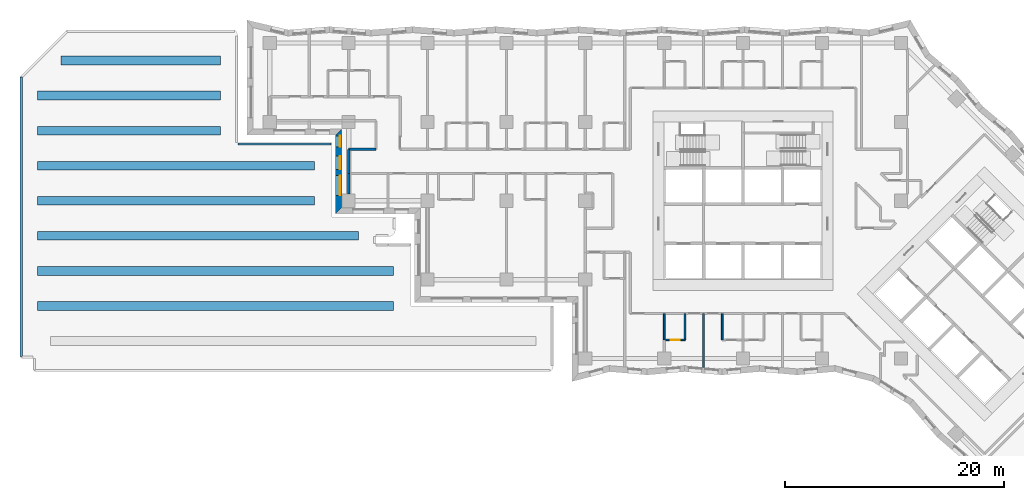
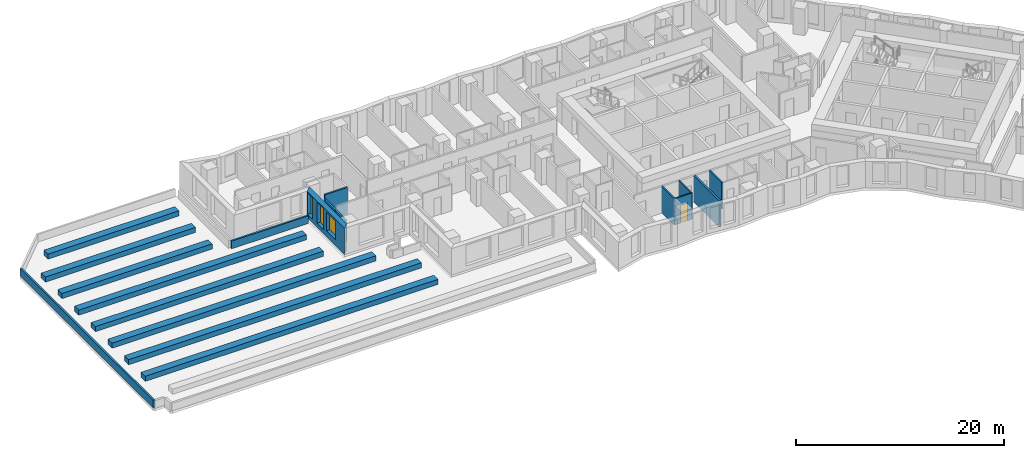
# One storey, part 3 of 15: 19 walls, 3 windows, 1 door, 4 openings.
"""IFC4 building model written with IfcOpenShell, lengths in metres."""

from ifc_helpers import new_model, si_unit, direction, frame, frame_2d, origin, place, context, subcontext, project, spatial, polyline, rectangle, outline, extrude, material, layer, layer_set, type_object, element, fill, save


model = new_model("IFC4")

# Units and contexts
model_context = context("Model", 3, precision=1e-05, world=origin(), true_north=direction((0.0, 1.0)))
body_context = subcontext(model_context, "Body", "Model", "MODEL_VIEW")
ifc_project = project(units=[si_unit("LENGTHUNIT", "METRE"), si_unit("AREAUNIT", "SQUARE_METRE"), si_unit("VOLUMEUNIT", "CUBIC_METRE"), si_unit("PLANEANGLEUNIT", "RADIAN"), si_unit("MASSUNIT", "GRAM", prefix="KILO")], contexts=[model_context])

# Site, building, storey
site_placement = place(None, origin())
site = spatial("IfcSite", under=ifc_project, at=site_placement, CompositionType="ELEMENT")
building_placement = place(site_placement, origin())
building = spatial("IfcBuilding", under=site, at=building_placement, Name="Windrow Commons", CompositionType="ELEMENT")
storey_placement = place(building_placement, frame((0.0, 0.0, 27.0)))
storey = spatial("IfcBuildingStorey", under=building, at=storey_placement, Name="L06", CompositionType="ELEMENT", Elevation=27.0)

# Wall, openings, windows
ifc_material_1 = material(Name="Brick masonry, red clay brick", Category="masonry")
ifc_layer_1 = layer(ifc_material_1, 0.55)
ifc_layer_set_1 = layer_set([ifc_layer_1], Name="Brick facade wall 550")
wall_type_1 = type_object("IfcWallType", Name="Brick facade wall 550", PredefinedType="SOLIDWALL", material=ifc_layer_set_1)
wall_1_placement = place(storey_placement, frame((27.875, 63.875, 0.0), z_axis=(0.0, 0.0, 1.0), x_axis=(0.0, -1.0, 0.0)))
wall_1 = element("IfcWall", 1, at=wall_1_placement, inside=storey, type_object=wall_type_1, Name="Brick facade wall L06 41", PredefinedType="SOLIDWALL", context=body_context, shape_type="SweptSolid", body=[
    extrude(outline(polyline([(0.275, -0.275), (7.475, -0.275), (6.925, 0.275), (-0.275, 0.275), (0.275, -0.275)])), origin(), (0.0, 0.0, 1.0), 3.1),
])
opening_1_placement = place(wall_1_placement, frame((3.975, 0.0, 0.7)))
opening_1 = element("IfcOpeningElement", 2, at=opening_1_placement, cuts=wall_1, Name="Opening W6", PredefinedType="OPENING", context=body_context, shape_type="SweptSolid", body=[
    extrude(rectangle(XDim=1.8, YDim=2.2, at=frame_2d((0.9, 1.1))), frame((0.0, 0.285, 0.0), z_axis=(0.0, -1.0, 0.0), x_axis=(1.0, 0.0, 0.0)), (0.0, 0.0, 1.0), 0.57),
])
opening_2_placement = place(wall_1_placement, frame((0.3625, 0.0, 0.45)))
opening_2 = element("IfcOpeningElement", 3, at=opening_2_placement, cuts=wall_1, Name="Opening W1S", PredefinedType="OPENING", context=body_context, shape_type="SweptSolid", body=[
    extrude(rectangle(XDim=1.0, YDim=2.5, at=frame_2d((0.5, 1.25))), frame((0.0, 0.285, 0.0), z_axis=(0.0, -1.0, 0.0), x_axis=(1.0, 0.0, 0.0)), (0.0, 0.0, 1.0), 0.57),
])
opening_3_placement = place(wall_1_placement, frame((2.2, 0.0, 0.5)))
opening_3 = element("IfcOpeningElement", 4, at=opening_3_placement, cuts=wall_1, Name="Opening W7D", PredefinedType="OPENING", context=body_context, shape_type="SweptSolid", body=[
    extrude(rectangle(XDim=1.2, YDim=2.45, at=frame_2d((0.6, 1.225))), frame((0.0, 0.285, 0.0), z_axis=(0.0, -1.0, 0.0), x_axis=(1.0, 0.0, 0.0)), (0.0, 0.0, 1.0), 0.57),
])
ifc_material_2 = material(Name="Clear float glass in anodised aluminium frame", Category="aluminium")
window_type_1 = type_object("IfcWindowType", Name="Window W1S slit 1000x2500", PartitioningType="SINGLE_PANEL", PredefinedType="WINDOW", material=ifc_material_2)
window_1_placement = place(opening_2_placement, origin())
window_1 = element("IfcWindow", 5, at=window_1_placement, inside=storey, type_object=window_type_1, Name="Window L06 41.2A", OverallHeight=2.5, OverallWidth=1.0, PartitioningType="SINGLE_PANEL", PredefinedType="WINDOW", context=body_context, shape_type="SweptSolid", body=[
    extrude(rectangle(XDim=1.0, YDim=2.5, at=frame_2d((0.5, 1.25))), frame((0.0, 0.155, 0.0), z_axis=(0.0, -1.0, 0.0), x_axis=(1.0, 0.0, 0.0)), (0.0, 0.0, 1.0), 0.06),
])
fill(opening_2, window_1)
ifc_material_3 = material(Name="Clear float glass in anodised aluminium frame", Category="aluminium")
window_type_2 = type_object("IfcWindowType", Name="Window W6 crown 1800x2200", PartitioningType="SINGLE_PANEL", PredefinedType="WINDOW", material=ifc_material_3)
window_2_placement = place(opening_1_placement, origin())
window_2 = element("IfcWindow", 6, at=window_2_placement, inside=storey, type_object=window_type_2, Name="Window L06 41.1A", OverallHeight=2.2, OverallWidth=1.8, PartitioningType="SINGLE_PANEL", PredefinedType="WINDOW", context=body_context, shape_type="SweptSolid", body=[
    extrude(rectangle(XDim=1.8, YDim=2.2, at=frame_2d((0.9, 1.1))), frame((0.0, 0.155, 0.0), z_axis=(0.0, -1.0, 0.0), x_axis=(1.0, 0.0, 0.0)), (0.0, 0.0, 1.0), 0.06),
])
fill(opening_1, window_2)
ifc_material_4 = material(Name="Clear float glass in anodised aluminium frame", Category="aluminium")
window_type_3 = type_object("IfcWindowType", Name="Window W7 notch 1200x2450", PartitioningType="SINGLE_PANEL", PredefinedType="WINDOW", material=ifc_material_4)
window_3_placement = place(opening_3_placement, origin())
window_3 = element("IfcWindow", 7, at=window_3_placement, inside=storey, type_object=window_type_3, Name="Window L06 41.2B", OverallHeight=2.45, OverallWidth=1.2, PartitioningType="SINGLE_PANEL", PredefinedType="WINDOW", context=body_context, shape_type="SweptSolid", body=[
    extrude(rectangle(XDim=1.2, YDim=2.45, at=frame_2d((0.6, 1.225))), frame((0.0, 0.155, 0.0), z_axis=(0.0, -1.0, 0.0), x_axis=(1.0, 0.0, 0.0)), (0.0, 0.0, 1.0), 0.06),
])
fill(opening_3, window_3)

# Walls
ifc_material_5 = material(Name="Blockwork partition", Category="masonry")
ifc_layer_2 = layer(ifc_material_5, 0.2)
ifc_layer_set_2 = layer_set([ifc_layer_2], Name="IW-CORRIDOR-200")
wall_type_2 = type_object("IfcWallType", Name="IW-CORRIDOR-200", PredefinedType="PARTITIONING", material=ifc_layer_set_2)
wall_2_placement = place(storey_placement, frame((28.802, 62.3, 0.0), z_axis=(0.0, 0.0, 1.0), x_axis=(1.0, 0.0, 0.0)))
element("IfcWall", 8, at=wall_2_placement, inside=storey, type_object=wall_type_2, Name="W-L06-W076", PredefinedType="PARTITIONING", context=body_context, shape_type="SweptSolid", body=[
    extrude(rectangle(XDim=2.498, YDim=0.2, at=frame_2d((1.249, 0.0))), origin(), (0.0, 0.0, 1.0), 3.1),
])
wall_3_placement = place(storey_placement, frame((28.8, 60.1, 0.0), z_axis=(0.0, 0.0, 1.0), x_axis=(0.0, 1.0, 0.0)))
element("IfcWall", 9, at=wall_3_placement, inside=storey, type_object=wall_type_2, Name="W-L06-W129", PredefinedType="PARTITIONING", context=body_context, shape_type="SweptSolid", body=[
    extrude(rectangle(XDim=2.2, YDim=0.2, at=frame_2d((1.1, 0.0))), origin(), (0.0, 0.0, 1.0), 2.6),
])
ifc_material_6 = material(Name="Blockwork partition", Category="masonry")
ifc_layer_3 = layer(ifc_material_6, 0.15)
ifc_layer_set_3 = layer_set([ifc_layer_3], Name="IW-ENSUITE-150")
wall_type_3 = type_object("IfcWallType", Name="IW-ENSUITE-150", PredefinedType="PARTITIONING", material=ifc_layer_set_3)
for number, where, z_axis, x_axis, name in (
    (10, (59.5, 44.9, 0.0), (0.0, 0.0, 1.0), (0.0, 1.0, 0.0), "W-L06-W101"),
    (11, (57.6, 44.9, 0.0), (0.0, 0.0, 1.0), (0.0, 1.0, 0.0), "W-L06-W102"),
    (12, (62.9, 44.9, 0.0), (0.0, 0.0, 1.0), (0.0, 1.0, 0.0), "W-L06-W103"),
):
    element("IfcWall", number, at=place(storey_placement, frame(where, z_axis=z_axis, x_axis=x_axis)), inside=storey, type_object=wall_type_3, Name=name, PredefinedType="PARTITIONING", context=body_context, shape_type="SweptSolid", body=[
        extrude(rectangle(XDim=2.4, YDim=0.15, at=frame_2d((1.2, 0.0))), origin(), (0.0, 0.0, 1.0), 3.1),
    ])

# Wall, opening, door
wall_4_placement = place(storey_placement, frame((57.6, 44.9, 0.0), z_axis=(0.0, 0.0, 1.0), x_axis=(1.0, 0.0, 0.0)))
wall_4 = element("IfcWall", 13, at=wall_4_placement, inside=storey, type_object=wall_type_3, Name="W-L06-W153", PredefinedType="PARTITIONING", context=body_context, shape_type="SweptSolid", body=[
    extrude(rectangle(XDim=1.9, YDim=0.15, at=frame_2d((0.95, 0.0))), origin(), (0.0, 0.0, 1.0), 3.1),
])
opening_4_placement = place(wall_4_placement, frame((0.6069, 0.0, 0.0)))
opening_4 = element("IfcOpeningElement", 14, at=opening_4_placement, cuts=wall_4, Name="Opening D208N", PredefinedType="OPENING", context=body_context, shape_type="SweptSolid", body=[
    extrude(rectangle(XDim=0.8, YDim=2.1, at=frame_2d((0.4, 1.05))), frame((0.0, 0.085, 0.0), z_axis=(0.0, -1.0, 0.0), x_axis=(1.0, 0.0, 0.0)), (0.0, 0.0, 1.0), 0.17),
])
ifc_material_7 = material(Name="Timber door leaf", Category="wood")
door_type = type_object("IfcDoorType", Name="DT-ENSUITE-800", OperationType="SINGLE_SWING_LEFT", PredefinedType="DOOR", material=ifc_material_7)
door_placement = place(opening_4_placement, origin())
door = element("IfcDoor", 15, at=door_placement, inside=storey, type_object=door_type, Name="D-L06-D040", OperationType="SINGLE_SWING_RIGHT", OverallHeight=2.1, OverallWidth=0.8, PredefinedType="DOOR", context=body_context, shape_type="SweptSolid", body=[
    extrude(rectangle(XDim=0.8, YDim=2.1, at=frame_2d((0.4, 1.05))), frame((0.0, 0.025, 0.0), z_axis=(0.0, -1.0, 0.0), x_axis=(1.0, 0.0, 0.0)), (0.0, 0.0, 1.0), 0.05),
])
fill(opening_4, door)

# Walls
ifc_material_8 = material(Name="Blockwork partition", Category="masonry")
ifc_layer_4 = layer(ifc_material_8, 0.2)
ifc_layer_set_4 = layer_set([ifc_layer_4], Name="IW-PARTY-200")
wall_type_4 = type_object("IfcWallType", Name="IW-PARTY-200", PredefinedType="PARTITIONING", material=ifc_layer_set_4)
wall_5_placement = place(storey_placement, frame((61.2, 42.4004, 0.0), z_axis=(0.0, 0.0, 1.0), x_axis=(0.0, 1.0, 0.0)))
element("IfcWall", 16, at=wall_5_placement, inside=storey, type_object=wall_type_4, Name="W-L06-W050", PredefinedType="PARTITIONING", context=body_context, shape_type="SweptSolid", body=[
    extrude(rectangle(XDim=4.8996, YDim=0.2, at=frame_2d((2.4498, 0.0))), origin(), (0.0, 0.0, 1.0), 3.1),
])
wall_6_placement = place(storey_placement, frame((28.8, 58.2, 0.0), z_axis=(0.0, 0.0, 1.0), x_axis=(0.0, 1.0, 0.0)))
element("IfcWall", 17, at=wall_6_placement, inside=storey, type_object=wall_type_4, Name="W-L06-W146", PredefinedType="PARTITIONING", context=body_context, shape_type="SweptSolid", body=[
    extrude(rectangle(XDim=1.9, YDim=0.2, at=frame_2d((0.95, 0.0))), origin(), (0.0, 0.0, 1.0), 2.6),
])
ifc_material_9 = material(Name="Concrete C30/37 planter wall", Category="concrete")
ifc_layer_5 = layer(ifc_material_9, 0.8)
ifc_layer_set_5 = layer_set([ifc_layer_5], Name="Planter 800x600")
wall_type_5 = type_object("IfcWallType", Name="Planter 800x600", PredefinedType="SOLIDWALL", material=ifc_layer_set_5)
for number, where, z_axis, x_axis, name in (
    (18, (0.4, 48.0, 0.0), (0.0, 0.0, 1.0), (1.0, 0.0, 0.0), "PLANTER L05 roof 2"),
    (19, (0.4, 51.2, 0.0), (0.0, 0.0, 1.0), (1.0, 0.0, 0.0), "PLANTER L05 roof 3"),
):
    element("IfcWall", number, at=place(storey_placement, frame(where, z_axis=z_axis, x_axis=x_axis)), inside=storey, type_object=wall_type_5, Name=name, PredefinedType="SOLIDWALL", context=body_context, shape_type="SweptSolid", body=[
        extrude(rectangle(XDim=32.5, YDim=0.8, at=frame_2d((16.25, 0.0))), origin(), (0.0, 0.0, 1.0), 0.6),
    ])
wall_7_placement = place(storey_placement, frame((0.4, 54.4, 0.0), z_axis=(0.0, 0.0, 1.0), x_axis=(1.0, 0.0, 0.0)))
element("IfcWall", 20, at=wall_7_placement, inside=storey, type_object=wall_type_5, Name="PLANTER L05 roof 4", PredefinedType="SOLIDWALL", context=body_context, shape_type="SweptSolid", body=[
    extrude(rectangle(XDim=29.3, YDim=0.8, at=frame_2d((14.65, 0.0))), origin(), (0.0, 0.0, 1.0), 0.6),
])
for number, where, z_axis, x_axis, name in (
    (21, (0.4, 57.6, 0.0), (0.0, 0.0, 1.0), (1.0, 0.0, 0.0), "PLANTER L05 roof 5"),
    (22, (0.4, 60.8, 0.0), (0.0, 0.0, 1.0), (1.0, 0.0, 0.0), "PLANTER L05 roof 6"),
):
    element("IfcWall", number, at=place(storey_placement, frame(where, z_axis=z_axis, x_axis=x_axis)), inside=storey, type_object=wall_type_5, Name=name, PredefinedType="SOLIDWALL", context=body_context, shape_type="SweptSolid", body=[
        extrude(rectangle(XDim=25.3, YDim=0.8, at=frame_2d((12.65, 0.0))), origin(), (0.0, 0.0, 1.0), 0.6),
    ])
for number, where, z_axis, x_axis, name in (
    (23, (0.4, 64.0, 0.0), (0.0, 0.0, 1.0), (1.0, 0.0, 0.0), "PLANTER L05 roof 7"),
    (24, (0.4, 67.2, 0.0), (0.0, 0.0, 1.0), (1.0, 0.0, 0.0), "PLANTER L05 roof 8"),
):
    element("IfcWall", number, at=place(storey_placement, frame(where, z_axis=z_axis, x_axis=x_axis)), inside=storey, type_object=wall_type_5, Name=name, PredefinedType="SOLIDWALL", context=body_context, shape_type="SweptSolid", body=[
        extrude(rectangle(XDim=16.68, YDim=0.8, at=frame_2d((8.34, 0.0))), origin(), (0.0, 0.0, 1.0), 0.6),
    ])
wall_8_placement = place(storey_placement, frame((2.5336, 70.4, 0.0), z_axis=(0.0, 0.0, 1.0), x_axis=(1.0, 0.0, 0.0)))
element("IfcWall", 25, at=wall_8_placement, inside=storey, type_object=wall_type_5, Name="PLANTER L05 roof 9", PredefinedType="SOLIDWALL", context=body_context, shape_type="SweptSolid", body=[
    extrude(rectangle(XDim=14.5464, YDim=0.8, at=frame_2d((7.2732, 0.0))), origin(), (0.0, 0.0, 1.0), 0.6),
])
ifc_material_10 = material(Name="Brick masonry, red clay brick", Category="masonry")
ifc_layer_6 = layer(ifc_material_10, 0.2)
ifc_layer_set_6 = layer_set([ifc_layer_6], Name="Terrace edge parapet 200")
wall_type_6 = type_object("IfcWallType", Name="Terrace edge parapet 200", PredefinedType="PARAPET", material=ifc_layer_set_6)
wall_9_placement = place(storey_placement, frame((18.68, 62.78, 0.0), z_axis=(0.0, 0.0, 1.0), x_axis=(1.0, 0.0, 0.0)))
element("IfcWall", 26, at=wall_9_placement, inside=storey, type_object=wall_type_6, Name="Roof parapet L05 4", PredefinedType="PARAPET", context=body_context, shape_type="SweptSolid", body=[
    extrude(rectangle(XDim=8.52, YDim=0.2, at=frame_2d((4.26, 0.0))), origin(), (0.0, 0.0, 1.0), 0.9),
])
wall_10_placement = place(storey_placement, frame((-1.08, 43.3651, 0.0), z_axis=(0.0, 0.0, 1.0), x_axis=(0.0, 1.0, 0.0)))
element("IfcWall", 27, at=wall_10_placement, inside=storey, type_object=wall_type_6, Name="Roof parapet L05 14", PredefinedType="PARAPET", context=body_context, shape_type="SweptSolid", body=[
    extrude(rectangle(XDim=25.549, YDim=0.2, at=frame_2d((12.7745, 0.0))), origin(), (0.0, 0.0, 1.0), 0.9),
])

save(model, "model.ifc")
